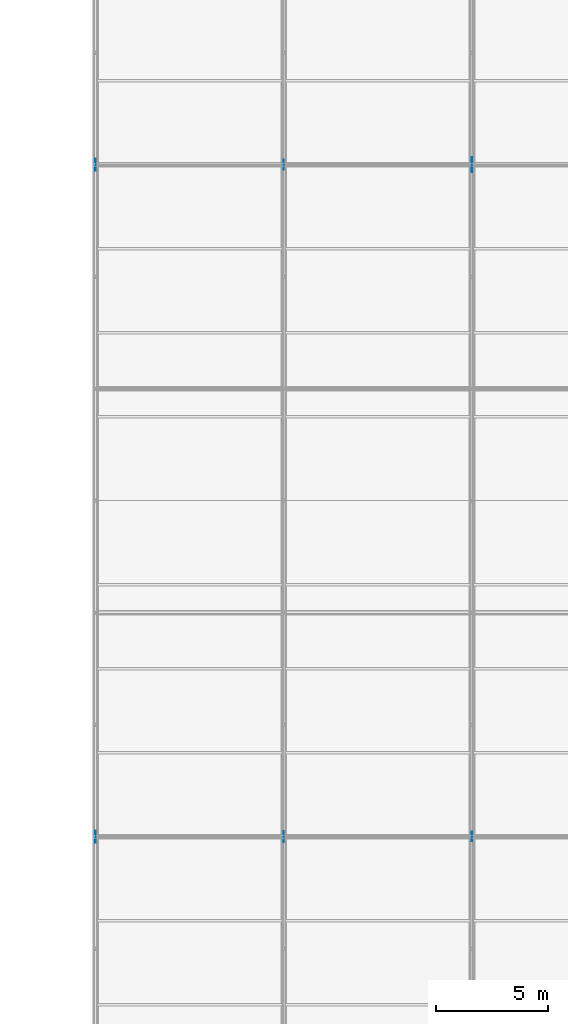
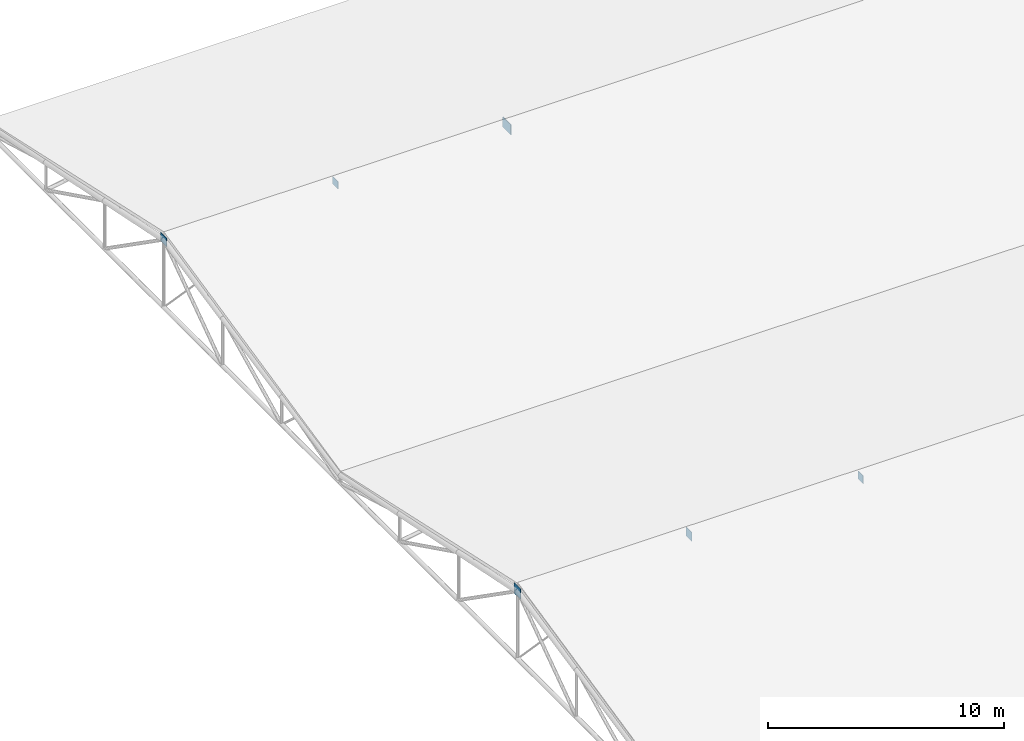
# One storey, part 166 of 194: 6 plates.
"""IFC4 building model written with IfcOpenShell, lengths in metres."""

from ifc_helpers import new_model, si_unit, direction, frame, origin, origin_2d, place, context, subcontext, project, spatial, rectangle, extrude, material, layer, layer_set, type_object, element, save


model = new_model("IFC4")

# Units and contexts
model_context = context("Model", 3, precision=1e-05, world=origin(), true_north=direction((0.0, 1.0)))
body_context = subcontext(model_context, "Body", "Model", "MODEL_VIEW")
ifc_project = project(units=[si_unit("LENGTHUNIT", "METRE"), si_unit("AREAUNIT", "SQUARE_METRE"), si_unit("VOLUMEUNIT", "CUBIC_METRE"), si_unit("PLANEANGLEUNIT", "RADIAN"), si_unit("MASSUNIT", "GRAM", prefix="KILO")], contexts=[model_context])

# Site, building, storey
site_placement = place(None, origin())
site = spatial("IfcSite", under=ifc_project, at=site_placement, CompositionType="ELEMENT")
building_placement = place(site_placement, origin())
building = spatial("IfcBuilding", under=site, at=building_placement, Name="Kazenagashi Tramway Depot", CompositionType="ELEMENT")
storey_placement = place(building_placement, frame((0.0, 0.0, 23.7)))
storey = spatial("IfcBuildingStorey", under=building, at=storey_placement, Name="ROOF", CompositionType="ELEMENT", Elevation=23.7)

# Plates
ifc_material = material(Name="Steel SN490B", Category="steel")
ifc_layer_1 = layer(ifc_material, 0.022)
ifc_layer_set_1 = layer_set([ifc_layer_1], Name="Steel SN490B")
plate_type_1 = type_object("IfcPlateType", Name="GP-01", PredefinedType="USERDEFINED", material=ifc_layer_set_1)
plate_1_placement = place(storey_placement, frame((44.8, 85.0, -10.875), z_axis=(0.0, 0.0, 1.0), x_axis=(0.0, 1.0, 0.0)))
element("IfcPlate", 1, at=plate_1_placement, inside=storey, type_object=plate_type_1, Name="Structural Node Plate GP-01 PLT-0001", ObjectType="GUSSET PLATE", PredefinedType="USERDEFINED", context=body_context, shape_type="SweptSolid", body=[
    extrude(rectangle(XDim=0.55, YDim=0.022, at=origin_2d()), origin(), (0.0, 0.0, 1.0), 0.55),
])
ifc_layer_2 = layer(ifc_material, 0.019)
ifc_layer_set_2 = layer_set([ifc_layer_2], Name="Steel SN490B")
plate_type_2 = type_object("IfcPlateType", Name="GP-02", PredefinedType="USERDEFINED", material=ifc_layer_set_2)
plate_2_placement = place(storey_placement, frame((53.2, 85.0, -10.84), z_axis=(0.0, 0.0, 1.0), x_axis=(0.0, 1.0, 0.0)))
element("IfcPlate", 2, at=plate_2_placement, inside=storey, type_object=plate_type_2, Name="Structural Node Plate GP-02 PLT-0005", ObjectType="GUSSET PLATE", PredefinedType="USERDEFINED", context=body_context, shape_type="SweptSolid", body=[
    extrude(rectangle(XDim=0.48, YDim=0.019, at=origin_2d()), origin(), (0.0, 0.0, 1.0), 0.48),
])
ifc_layer_3 = layer(ifc_material, 0.016)
ifc_layer_set_3 = layer_set([ifc_layer_3], Name="Steel SN490B")
plate_type_3 = type_object("IfcPlateType", Name="GP-03", PredefinedType="USERDEFINED", material=ifc_layer_set_3)
plate_3_placement = place(storey_placement, frame((61.6, 85.0, -10.81), z_axis=(0.0, 0.0, 1.0), x_axis=(0.0, 1.0, 0.0)))
element("IfcPlate", 3, at=plate_3_placement, inside=storey, type_object=plate_type_3, Name="Structural Node Plate GP-03 PLT-0009", ObjectType="GUSSET PLATE", PredefinedType="USERDEFINED", context=body_context, shape_type="SweptSolid", body=[
    extrude(rectangle(XDim=0.42, YDim=0.016, at=origin_2d()), origin(), (0.0, 0.0, 1.0), 0.42),
])
ifc_layer_4 = layer(ifc_material, 0.019)
ifc_layer_set_4 = layer_set([ifc_layer_4], Name="Steel SN490B")
plate_type_4 = type_object("IfcPlateType", Name="GP-08", PredefinedType="USERDEFINED", material=ifc_layer_set_4)
plate_4_placement = place(storey_placement, frame((44.8, 115.0, -10.82), z_axis=(0.0, 0.0, 1.0), x_axis=(0.0, 1.0, 0.0)))
element("IfcPlate", 4, at=plate_4_placement, inside=storey, type_object=plate_type_4, Name="Structural Node Plate GP-08 PLT-0002", ObjectType="GUSSET PLATE", PredefinedType="USERDEFINED", context=body_context, shape_type="SweptSolid", body=[
    extrude(rectangle(XDim=0.52, YDim=0.019, at=origin_2d()), origin(), (0.0, 0.0, 1.0), 0.44),
])
ifc_layer_5 = layer(ifc_material, 0.016)
ifc_layer_set_5 = layer_set([ifc_layer_5], Name="Steel SN490B")
plate_type_5 = type_object("IfcPlateType", Name="GP-09", PredefinedType="USERDEFINED", material=ifc_layer_set_5)
plate_5_placement = place(storey_placement, frame((53.2, 115.0, -10.79), z_axis=(0.0, 0.0, 1.0), x_axis=(0.0, 1.0, 0.0)))
element("IfcPlate", 5, at=plate_5_placement, inside=storey, type_object=plate_type_5, Name="Structural Node Plate GP-09 PLT-0006", ObjectType="GUSSET PLATE", PredefinedType="USERDEFINED", context=body_context, shape_type="SweptSolid", body=[
    extrude(rectangle(XDim=0.46, YDim=0.016, at=origin_2d()), origin(), (0.0, 0.0, 1.0), 0.38),
])
ifc_layer_6 = layer(ifc_material, 0.025)
ifc_layer_set_6 = layer_set([ifc_layer_6], Name="Steel SN490B")
plate_type_6 = type_object("IfcPlateType", Name="GP-10", PredefinedType="USERDEFINED", material=ifc_layer_set_6)
plate_6_placement = place(storey_placement, frame((61.6, 115.0, -10.87), z_axis=(0.0, 0.0, 1.0), x_axis=(0.0, 1.0, 0.0)))
element("IfcPlate", 6, at=plate_6_placement, inside=storey, type_object=plate_type_6, Name="Structural Node Plate GP-10 PLT-0010", ObjectType="GUSSET PLATE", PredefinedType="USERDEFINED", context=body_context, shape_type="SweptSolid", body=[
    extrude(rectangle(XDim=0.68, YDim=0.025, at=origin_2d()), origin(), (0.0, 0.0, 1.0), 0.54),
])

save(model, "model.ifc")
